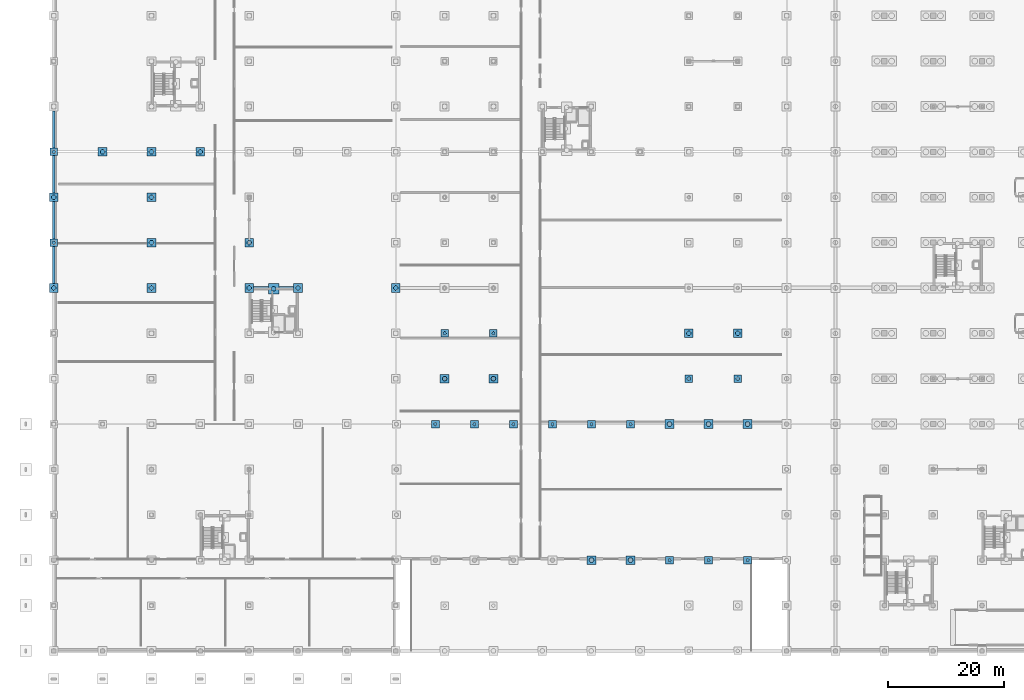
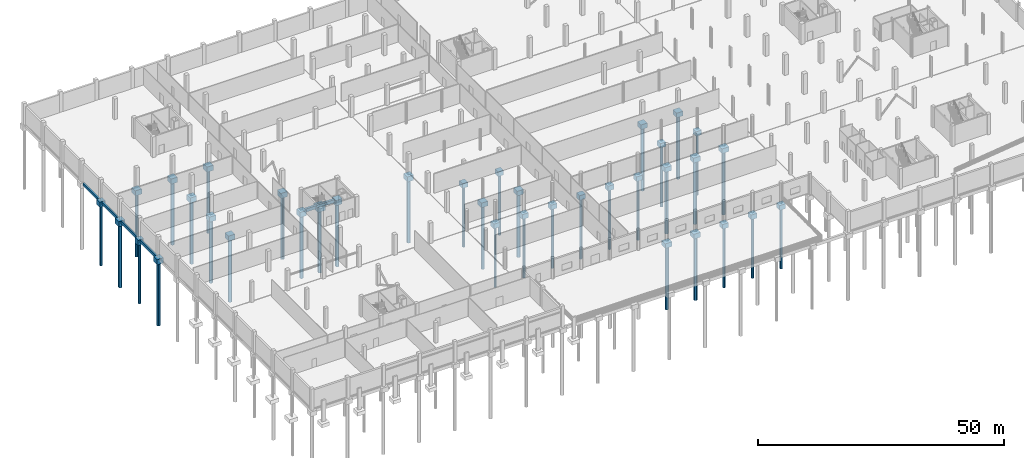
# One storey, part 3 of 48: 42 footings, 37 piles.
"""IFC4 building model written with IfcOpenShell, lengths in metres."""

import ifcopenshell
import ifcopenshell.guid

model = None  # the IFC model being written
_history = None  # IfcOwnerHistory: only IFC2X3 demands one
_inside = {}  # id of a spatial element -> (the spatial element, [elements in it])
_under = {}  # id of a project, library or spatial element -> (it, [spatial elements below it])
_declared = {}  # id of a project -> (the project, [libraries it declares])
_typed = {}  # id of a type object -> (the type object, [elements of that type])
_made_of = {}  # id of a material, layer set ... -> (it, [elements and type objects made of it])


def new_model(schema):
    """Start an empty IFC model of exactly this schema.

    Asked for "IFC4X3", IfcOpenShell would pick the latest addendum, in which some entities
    have other attributes; the version numbers below select the first issue.
    IFC2X3 requires an IfcOwnerHistory on every rooted entity: one is made here for all.
    """
    global model, _history
    if schema == "IFC4X3":
        model = ifcopenshell.file(schema_version=(4, 3, 0, 0))
    else:
        model = ifcopenshell.file(schema=schema)
    _inside.clear()
    _under.clear()
    _declared.clear()
    _typed.clear()
    _made_of.clear()
    _history = None
    if model.schema == "IFC2X3":
        org = make("IfcOrganization", Name="unknown")
        user = make(
            "IfcPersonAndOrganization",
            ThePerson=make("IfcPerson", FamilyName="unknown"),
            TheOrganization=org,
        )
        app = make(
            "IfcApplication",
            ApplicationDeveloper=org,
            Version="unknown",
            ApplicationFullName="unknown",
            ApplicationIdentifier="unknown",
        )
        _history = make(
            "IfcOwnerHistory",
            OwningUser=user,
            OwningApplication=app,
            ChangeAction="ADDED",
            CreationDate=0,
        )
    return model


def make(cls, **values):
    """One entity of the class cls with the attributes given. An attribute that is None is left unset."""
    return model.create_entity(
        cls, **{name: value for name, value in values.items() if value is not None}
    )


def rooted(cls, **values):
    """An entity with a GlobalId (a new one), such as an element, a storey or a relation."""
    return make(cls, GlobalId=ifcopenshell.guid.new(), OwnerHistory=_history, **values)


def si_unit(unit_type, name, prefix=None):
    """IfcSIUnit, for example si_unit("LENGTHUNIT", "METRE", prefix="MILLI")."""
    return make("IfcSIUnit", UnitType=unit_type, Prefix=prefix, Name=name)


def assignment(units):
    """IfcUnitAssignment: the units of a project."""
    return None if units is None else make("IfcUnitAssignment", Units=units)


def point(xyz):
    """IfcCartesianPoint."""
    return None if xyz is None else make("IfcCartesianPoint", Coordinates=xyz)


def direction(xyz):
    """IfcDirection."""
    return None if xyz is None else make("IfcDirection", DirectionRatios=xyz)


def frame(location, z_axis=None, x_axis=None):
    """IfcAxis2Placement3D, a coordinate frame: its origin and axes. An axis left out is left unset."""
    return make(
        "IfcAxis2Placement3D",
        Location=point(location),
        Axis=direction(z_axis),
        RefDirection=direction(x_axis),
    )


def frame_2d(location, x_axis=None):
    """IfcAxis2Placement2D, a coordinate frame in the plane: its origin and x axis."""
    return make(
        "IfcAxis2Placement2D", Location=point(location), RefDirection=direction(x_axis)
    )


def origin():
    """The frame at (0, 0, 0) with its axes left unset."""
    return frame((0.0, 0.0, 0.0))


def origin_2d():
    """The frame at (0, 0) in the plane with its x axis left unset."""
    return frame_2d((0.0, 0.0))


def place(relative_to, where):
    """IfcLocalPlacement: puts the frame where relative to a parent placement (None: the world)."""
    return make(
        "IfcLocalPlacement", PlacementRelTo=relative_to, RelativePlacement=where
    )


def context(
    kind, dimensions, precision=None, world=None, true_north=None, identifier=None
):
    """IfcGeometricRepresentationContext, for example the 3D "Model" context."""
    return make(
        "IfcGeometricRepresentationContext",
        ContextIdentifier=identifier,
        ContextType=kind,
        CoordinateSpaceDimension=dimensions,
        Precision=precision,
        WorldCoordinateSystem=world,
        TrueNorth=true_north,
    )


def subcontext(parent, identifier, kind, view, scale=None):
    """IfcGeometricRepresentationSubContext, for example "Body" below "Model"."""
    return make(
        "IfcGeometricRepresentationSubContext",
        ContextIdentifier=identifier,
        ContextType=kind,
        ParentContext=parent,
        TargetScale=scale,
        TargetView=view,
    )


def project(units=None, contexts=None):
    """IfcProject with its units and contexts."""
    return rooted(
        "IfcProject",
        Name="project",
        RepresentationContexts=contexts,
        UnitsInContext=assignment(units),
    )


def spatial(cls, under=None, at=None, **own):
    """A site, building, storey or space (cls), placed at a placement, below another one or the project."""
    s = rooted(cls, ObjectPlacement=at, **own)
    if under is not None:
        _under.setdefault(under.id(), (under, []))[1].append(s)
    return s


def polyline(points):
    """IfcPolyline through the points."""
    return make("IfcPolyline", Points=[point(p) for p in points])


def profile(cls, at=None, kind="AREA", **sizes):
    """A parametric profile (cls). Its sizes go by their IFC names, for example OverallWidth=200.0."""
    return make(cls, ProfileType=kind, Position=at, **sizes)


def rectangle(**sizes):
    """IfcRectangleProfileDef."""
    return profile("IfcRectangleProfileDef", **sizes)


def circle(**sizes):
    """IfcCircleProfileDef."""
    return profile("IfcCircleProfileDef", **sizes)


def outline(outer, holes=None, kind="AREA"):
    """IfcArbitraryClosedProfileDef: a profile drawn as a closed curve; with holes, ...WithVoids."""
    if holes is None:
        return make("IfcArbitraryClosedProfileDef", ProfileType=kind, OuterCurve=outer)
    return make(
        "IfcArbitraryProfileDefWithVoids",
        ProfileType=kind,
        OuterCurve=outer,
        InnerCurves=holes,
    )


def extrude(swept, where, along, depth):
    """IfcExtrudedAreaSolid: the profile swept, set in the frame where, extruded along a direction by depth."""
    return make(
        "IfcExtrudedAreaSolid",
        SweptArea=swept,
        Position=where,
        ExtrudedDirection=direction(along),
        Depth=depth,
    )


def shape(context_of_items, identifier, shape_type, items):
    """IfcShapeRepresentation: the items that make up one representation, for example the "Body"."""
    return make(
        "IfcShapeRepresentation",
        ContextOfItems=context_of_items,
        RepresentationIdentifier=identifier,
        RepresentationType=shape_type,
        Items=items,
    )


def material(Name=None, Category=None):
    """IfcMaterial."""
    return make("IfcMaterial", Name=Name, Category=Category)


def material_profile(
    of_material, cross_section, Name=None, Category=None, Priority=None
):
    """IfcMaterialProfile: a cross section and its material."""
    return make(
        "IfcMaterialProfile",
        Name=Name,
        Material=of_material,
        Profile=cross_section,
        Priority=Priority,
        Category=Category,
    )


def profile_set(profiles, Name=None, composite=None):
    """IfcMaterialProfileSet."""
    return make(
        "IfcMaterialProfileSet",
        Name=Name,
        MaterialProfiles=profiles,
        CompositeProfile=composite,
    )


def made_of(thing, what):
    """Note that an element or type object is made of a material, layer set ...; save() writes the relation."""
    if what is not None:
        _made_of.setdefault(what.id(), (what, []))[1].append(thing)
    return thing


def type_object(cls, material=None, **own):
    """A type object (cls), such as IfcWallType, which elements share."""
    return made_of(rooted(cls, **own), material)


def element(
    cls,
    number,
    at=None,
    inside=None,
    cuts=None,
    type_object=None,
    material=None,
    context=None,
    identifier="Body",
    shape_type=None,
    held_by="IfcProductDefinitionShape",
    body=None,
    shapes=None,
    **own,
):
    """One element of the class cls, such as IfcWall. Its Tag is "e" and its number.

    at: its placement. inside: the storey or other place that contains it. cuts: it is an
    opening in that element (IfcRelVoidsElement). A single representation is given by context,
    identifier, shape_type and body (its items); several are given by shapes. held_by: the class
    of the entity that holds the representations. save() writes the other relations.
    """
    e = rooted(cls, Tag="e%d" % number, ObjectPlacement=at, **own)
    if body is not None:
        shapes = [shape(context, identifier, shape_type, body)]
    if shapes is not None:
        e.Representation = make(held_by, Representations=shapes)
    if inside is not None:
        _inside.setdefault(inside.id(), (inside, []))[1].append(e)
    if cuts is not None:
        rooted(
            "IfcRelVoidsElement", RelatingBuildingElement=cuts, RelatedOpeningElement=e
        )
    if type_object is not None:
        _typed.setdefault(type_object.id(), (type_object, []))[1].append(e)
    return made_of(e, material)


def aggregate(whole, parts):
    """IfcRelAggregates: a whole, such as a stair, and the parts it consists of."""
    return rooted("IfcRelAggregates", RelatingObject=whole, RelatedObjects=parts)


def save(model, path):
    """Write the relations noted so far, then the file.

    IfcRelAggregates (storeys below a building ...), IfcRelContainedInSpatialStructure (elements
    in a storey), IfcRelDefinesByType, IfcRelAssociatesMaterial and IfcRelDeclares: one each for
    every whole, place, type object, material and project.
    """
    for whole, parts in _under.values():
        aggregate(whole, parts)
    for where, things in _inside.values():
        rooted(
            "IfcRelContainedInSpatialStructure",
            RelatedElements=things,
            RelatingStructure=where,
        )
    for kind, things in _typed.values():
        rooted("IfcRelDefinesByType", RelatedObjects=things, RelatingType=kind)
    for what, things in _made_of.values():
        rooted("IfcRelAssociatesMaterial", RelatedObjects=things, RelatingMaterial=what)
    for by, libraries in _declared.values():
        rooted("IfcRelDeclares", RelatingContext=by, RelatedDefinitions=libraries)
    model.write(path)


model = new_model("IFC4")

# Units and contexts
model_context = context("Model", 3, precision=1e-05, world=origin(), true_north=direction((0.0, 1.0)))
body_context = subcontext(model_context, "Body", "Model", "MODEL_VIEW")
ifc_project = project(units=[si_unit("LENGTHUNIT", "METRE"), si_unit("AREAUNIT", "SQUARE_METRE"), si_unit("VOLUMEUNIT", "CUBIC_METRE"), si_unit("PLANEANGLEUNIT", "RADIAN"), si_unit("MASSUNIT", "GRAM", prefix="KILO")], contexts=[model_context])

# Site, building, storey
site_placement = place(None, origin())
site = spatial("IfcSite", under=ifc_project, at=site_placement, CompositionType="ELEMENT")
building_placement = place(site_placement, origin())
building = spatial("IfcBuilding", under=site, at=building_placement, Name="Nabrawat Pavilion Hospital", CompositionType="ELEMENT")
storey_placement = place(building_placement, frame((0.0, 0.0, -5.10009765625)))
storey = spatial("IfcBuildingStorey", under=building, at=storey_placement, Name="B1", CompositionType="ELEMENT", Elevation=-5.10009765625)

# Piles
ifc_material = material(Name="Concrete C35/45", Category="concrete")
ifc_material_profile_1 = material_profile(ifc_material, circle(Radius=0.300048828125, at=origin_2d()), Name="DIA 600")
ifc_profile_set_1 = profile_set([ifc_material_profile_1], Name="Concrete C35/45")
pile_type_1 = type_object("IfcPileType", Name="Bored Concrete Pile D600", PredefinedType="BORED", material=ifc_profile_set_1)
for number, where, z_axis, x_axis, name in (
    (1, (0.0, 70.199951171875, -1.39990234375), (0.0, 0.0, -1.0), (1.0, 0.0, 0.0), "Bored Pile P-600 0010"),
    (2, (0.0, 85.800048828125, -1.39990234375), (0.0, 0.0, -1.0), (1.0, 0.0, 0.0), "Bored Pile P-600 0012"),
):
    element("IfcPile", number, at=place(storey_placement, frame(where, z_axis=z_axis, x_axis=x_axis)), inside=storey, type_object=pile_type_1, Name=name, PredefinedType="BORED", context=body_context, shape_type="SweptSolid", body=[
        extrude(circle(Radius=0.300048828125, at=origin_2d()), origin(), (0.0, 0.0, 1.0), 15.0),
    ])
pile_1_placement = place(storey_placement, frame((65.6279296875, 39.0, -1.2998046875), z_axis=(0.0, 0.0, -1.0), x_axis=(1.0, 0.0, 0.0)))
element("IfcPile", 3, at=pile_1_placement, inside=storey, type_object=pile_type_1, Name="Bored Pile P-600 0088", PredefinedType="BORED", context=body_context, shape_type="SweptSolid", body=[
    extrude(circle(Radius=0.300048828125, at=origin_2d()), origin(), (0.0, 0.0, 1.0), 15.10009765625),
])
pile_2_placement = place(storey_placement, frame((67.199951171875, 54.60009765625, -1.27001953125), z_axis=(0.0, 0.0, -1.0), x_axis=(1.0, 0.0, 0.0)))
element("IfcPile", 4, at=pile_2_placement, inside=storey, type_object=pile_type_1, Name="Bored Pile P-600 0092", PredefinedType="BORED", context=body_context, shape_type="SweptSolid", body=[
    extrude(circle(Radius=0.300048828125, at=origin_2d()), origin(), (0.0, 0.0, 1.0), 15.1298828125),
])
pile_3_placement = place(storey_placement, frame((72.3359375, 39.0, -1.2998046875), z_axis=(0.0, 0.0, -1.0), x_axis=(1.0, 0.0, 0.0)))
element("IfcPile", 5, at=pile_3_placement, inside=storey, type_object=pile_type_1, Name="Bored Pile P-600 0102", PredefinedType="BORED", context=body_context, shape_type="SweptSolid", body=[
    extrude(circle(Radius=0.300048828125, at=origin_2d()), origin(), (0.0, 0.0, 1.0), 15.10009765625),
])
pile_4_placement = place(storey_placement, frame((75.60009765625, 54.60009765625, -1.27001953125), z_axis=(0.0, 0.0, -1.0), x_axis=(1.0, 0.0, 0.0)))
element("IfcPile", 6, at=pile_4_placement, inside=storey, type_object=pile_type_1, Name="Bored Pile P-600 0106", PredefinedType="BORED", context=body_context, shape_type="SweptSolid", body=[
    extrude(circle(Radius=0.300048828125, at=origin_2d()), origin(), (0.0, 0.0, 1.0), 15.1298828125),
])
for number, where, z_axis, x_axis, name in (
    (7, (79.0439453125, 39.0, -1.2998046875), (0.0, 0.0, -1.0), (1.0, 0.0, 0.0), "Bored Pile P-600 0116"),
    (8, (85.751953125, 39.0, -1.2998046875), (0.0, 0.0, -1.0), (1.0, 0.0, 0.0), "Bored Pile P-600 0122"),
    (9, (92.4599609375, 39.0, -1.2998046875), (0.0, 0.0, -1.0), (1.0, 0.0, 0.0), "Bored Pile P-600 0128"),
    (10, (99.16796875, 39.0, -1.2998046875), (0.0, 0.0, -1.0), (1.0, 0.0, 0.0), "Bored Pile P-600 0130"),
    (11, (105.8759765625, 15.60009765625, -1.2998046875), (0.0, 0.0, -1.0), (1.0, 0.0, 0.0), "Bored Pile P-600 0134"),
):
    element("IfcPile", number, at=place(storey_placement, frame(where, z_axis=z_axis, x_axis=x_axis)), inside=storey, type_object=pile_type_1, Name=name, PredefinedType="BORED", context=body_context, shape_type="SweptSolid", body=[
        extrude(circle(Radius=0.300048828125, at=origin_2d()), origin(), (0.0, 0.0, 1.0), 15.10009765625),
    ])
pile_5_placement = place(storey_placement, frame((109.199951171875, 46.800048828125, -1.27001953125), z_axis=(0.0, 0.0, -1.0), x_axis=(1.0, 0.0, 0.0)))
element("IfcPile", 12, at=pile_5_placement, inside=storey, type_object=pile_type_1, Name="Bored Pile P-600 0138", PredefinedType="BORED", context=body_context, shape_type="SweptSolid", body=[
    extrude(circle(Radius=0.300048828125, at=origin_2d()), origin(), (0.0, 0.0, 1.0), 15.1298828125),
])
pile_6_placement = place(storey_placement, frame((112.583984375, 15.60009765625, -1.2998046875), z_axis=(0.0, 0.0, -1.0), x_axis=(1.0, 0.0, 0.0)))
element("IfcPile", 13, at=pile_6_placement, inside=storey, type_object=pile_type_1, Name="Bored Pile P-600 0148", PredefinedType="BORED", context=body_context, shape_type="SweptSolid", body=[
    extrude(circle(Radius=0.300048828125, at=origin_2d()), origin(), (0.0, 0.0, 1.0), 15.10009765625),
])
pile_7_placement = place(storey_placement, frame((117.60009765625, 46.800048828125, -1.27001953125), z_axis=(0.0, 0.0, -1.0), x_axis=(1.0, 0.0, 0.0)))
element("IfcPile", 14, at=pile_7_placement, inside=storey, type_object=pile_type_1, Name="Bored Pile P-600 0152", PredefinedType="BORED", context=body_context, shape_type="SweptSolid", body=[
    extrude(circle(Radius=0.300048828125, at=origin_2d()), origin(), (0.0, 0.0, 1.0), 15.1298828125),
])
pile_8_placement = place(storey_placement, frame((119.2919921875, 15.60009765625, -1.2998046875), z_axis=(0.0, 0.0, -1.0), x_axis=(1.0, 0.0, 0.0)))
element("IfcPile", 15, at=pile_8_placement, inside=storey, type_object=pile_type_1, Name="Bored Pile P-600 0162", PredefinedType="BORED", context=body_context, shape_type="SweptSolid", body=[
    extrude(circle(Radius=0.300048828125, at=origin_2d()), origin(), (0.0, 0.0, 1.0), 15.10009765625),
])
ifc_material_profile_2 = material_profile(ifc_material, circle(Radius=0.39990234375, at=origin_2d()), Name="DIA 800")
ifc_profile_set_2 = profile_set([ifc_material_profile_2], Name="Concrete C35/45")
pile_type_2 = type_object("IfcPileType", Name="Bored Concrete Pile D800", PredefinedType="BORED", material=ifc_profile_set_2)
for number, where, z_axis, x_axis, name in (
    (16, (0.0, 62.39990234375, -1.39990234375), (0.0, 0.0, -1.0), (1.0, 0.0, 0.0), "Bored Pile P-800 0009"),
    (17, (0.0, 78.0, -1.39990234375), (0.0, 0.0, -1.0), (1.0, 0.0, 0.0), "Bored Pile P-800 0011"),
    (18, (8.39990234375, 85.800048828125, -1.39990234375), (0.0, 0.0, -1.0), (1.0, 0.0, 0.0), "Bored Pile P-800 0019"),
    (19, (16.800048828125, 62.39990234375, -1.39990234375), (0.0, 0.0, -1.0), (1.0, 0.0, 0.0), "Bored Pile P-800 0029"),
    (20, (16.800048828125, 70.199951171875, -1.39990234375), (0.0, 0.0, -1.0), (1.0, 0.0, 0.0), "Bored Pile P-800 0030"),
    (21, (16.800048828125, 78.0, -1.39990234375), (0.0, 0.0, -1.0), (1.0, 0.0, 0.0), "Bored Pile P-800 0031"),
    (22, (16.800048828125, 85.800048828125, -1.39990234375), (0.0, 0.0, -1.0), (1.0, 0.0, 0.0), "Bored Pile P-800 0032"),
    (23, (25.199951171875, 85.800048828125, -1.39990234375), (0.0, 0.0, -1.0), (1.0, 0.0, 0.0), "Bored Pile P-800 0041"),
    (24, (33.60009765625, 62.39990234375, -1.39990234375), (0.0, 0.0, -1.0), (1.0, 0.0, 0.0), "Bored Pile P-800 0053"),
    (25, (33.60009765625, 70.199951171875, -1.39990234375), (0.0, 0.0, -1.0), (1.0, 0.0, 0.0), "Bored Pile P-800 0054"),
    (26, (42.0, 62.39990234375, -1.39990234375), (0.0, 0.0, -1.0), (1.0, 0.0, 0.0), "Bored Pile P-800 0064"),
    (27, (58.800048828125, 62.39990234375, -1.39990234375), (0.0, 0.0, -1.0), (1.0, 0.0, 0.0), "Bored Pile P-800 0075"),
):
    element("IfcPile", number, at=place(storey_placement, frame(where, z_axis=z_axis, x_axis=x_axis)), inside=storey, type_object=pile_type_2, Name=name, PredefinedType="BORED", context=body_context, shape_type="SweptSolid", body=[
        extrude(circle(Radius=0.39990234375, at=origin_2d()), origin(), (0.0, 0.0, 1.0), 15.699951171875),
    ])
for number, where, z_axis, x_axis, name in (
    (28, (67.199951171875, 46.800048828125, -1.27001953125), (0.0, 0.0, -1.0), (1.0, 0.0, 0.0), "Bored Pile P-800 0091"),
    (29, (75.60009765625, 46.800048828125, -1.27001953125), (0.0, 0.0, -1.0), (1.0, 0.0, 0.0), "Bored Pile P-800 0105"),
):
    element("IfcPile", number, at=place(storey_placement, frame(where, z_axis=z_axis, x_axis=x_axis)), inside=storey, type_object=pile_type_2, Name=name, PredefinedType="BORED", context=body_context, shape_type="SweptSolid", body=[
        extrude(circle(Radius=0.39990234375, at=origin_2d()), origin(), (0.0, 0.0, 1.0), 15.830078125),
    ])
for number, where, z_axis, x_axis, name in (
    (30, (92.4599609375, 15.60009765625, -1.2998046875), (0.0, 0.0, -1.0), (1.0, 0.0, 0.0), "Bored Pile P-800 0127"),
    (31, (99.16796875, 15.60009765625, -1.2998046875), (0.0, 0.0, -1.0), (1.0, 0.0, 0.0), "Bored Pile P-800 0129"),
    (32, (105.8759765625, 39.0, -1.2998046875), (0.0, 0.0, -1.0), (1.0, 0.0, 0.0), "Bored Pile P-800 0135"),
):
    element("IfcPile", number, at=place(storey_placement, frame(where, z_axis=z_axis, x_axis=x_axis)), inside=storey, type_object=pile_type_2, Name=name, PredefinedType="BORED", context=body_context, shape_type="SweptSolid", body=[
        extrude(circle(Radius=0.39990234375, at=origin_2d()), origin(), (0.0, 0.0, 1.0), 15.800048828125),
    ])
pile_9_placement = place(storey_placement, frame((109.199951171875, 54.60009765625, -1.27001953125), z_axis=(0.0, 0.0, -1.0), x_axis=(1.0, 0.0, 0.0)))
element("IfcPile", 33, at=pile_9_placement, inside=storey, type_object=pile_type_2, Name="Bored Pile P-800 0139", PredefinedType="BORED", context=body_context, shape_type="SweptSolid", body=[
    extrude(circle(Radius=0.39990234375, at=origin_2d()), origin(), (0.0, 0.0, 1.0), 15.830078125),
])
pile_10_placement = place(storey_placement, frame((112.583984375, 39.0, -1.2998046875), z_axis=(0.0, 0.0, -1.0), x_axis=(1.0, 0.0, 0.0)))
element("IfcPile", 34, at=pile_10_placement, inside=storey, type_object=pile_type_2, Name="Bored Pile P-800 0149", PredefinedType="BORED", context=body_context, shape_type="SweptSolid", body=[
    extrude(circle(Radius=0.39990234375, at=origin_2d()), origin(), (0.0, 0.0, 1.0), 15.800048828125),
])
pile_11_placement = place(storey_placement, frame((117.60009765625, 54.60009765625, -1.27001953125), z_axis=(0.0, 0.0, -1.0), x_axis=(1.0, 0.0, 0.0)))
element("IfcPile", 35, at=pile_11_placement, inside=storey, type_object=pile_type_2, Name="Bored Pile P-800 0153", PredefinedType="BORED", context=body_context, shape_type="SweptSolid", body=[
    extrude(circle(Radius=0.39990234375, at=origin_2d()), origin(), (0.0, 0.0, 1.0), 15.830078125),
])
pile_12_placement = place(storey_placement, frame((119.2919921875, 39.0, -1.2998046875), z_axis=(0.0, 0.0, -1.0), x_axis=(1.0, 0.0, 0.0)))
element("IfcPile", 36, at=pile_12_placement, inside=storey, type_object=pile_type_2, Name="Bored Pile P-800 0163", PredefinedType="BORED", context=body_context, shape_type="SweptSolid", body=[
    extrude(circle(Radius=0.39990234375, at=origin_2d()), origin(), (0.0, 0.0, 1.0), 15.800048828125),
])
pile_13_placement = place(storey_placement, frame((37.800048828125, 62.25, -1.369873046875), z_axis=(0.0, 0.0, -1.0), x_axis=(1.0, 0.0, 0.0)))
element("IfcPile", 37, at=pile_13_placement, inside=storey, type_object=pile_type_2, Name="Bored Pile P-800 0379", PredefinedType="BORED", context=body_context, shape_type="SweptSolid", body=[
    extrude(circle(Radius=0.39990234375, at=origin_2d()), origin(), (0.0, 0.0, 1.0), 15.72998046875),
])

# Footings
ifc_material_profile_3 = material_profile(ifc_material, rectangle(XDim=0.39990234375, YDim=0.699951171875, at=origin_2d()), Name="RC 400x700")
ifc_profile_set_3 = profile_set([ifc_material_profile_3], Name="Concrete C35/45")
footing_type_1 = type_object("IfcFootingType", Name="Concrete Ground Tie Beam 400x700", PredefinedType="FOOTING_BEAM", material=ifc_profile_set_3)
footing_1_placement = place(storey_placement, frame((0.0, 63.1298828125, -0.56982421875), z_axis=(0.0, 1.0, 0.0), x_axis=(-1.0, 0.0, 0.0)))
element("IfcFooting", 38, at=footing_1_placement, inside=storey, type_object=footing_type_1, Name="B1 Ground Tie Beam Y 051", PredefinedType="FOOTING_BEAM", context=body_context, shape_type="SweptSolid", body=[
    extrude(rectangle(XDim=0.39990234375, YDim=0.699951171875, at=origin_2d()), origin(), (0.0, 0.0, 1.0), 6.440185546875),
])
for number, where, z_axis, x_axis, name in (
    (39, (0.0, 70.830078125, -0.56982421875), (0.0, 1.0, 0.0), (-1.0, 0.0, 0.0), "B1 Ground Tie Beam Y 052"),
    (40, (0.0, 78.72998046875, -0.56982421875), (0.0, 1.0, 0.0), (-1.0, 0.0, 0.0), "B1 Ground Tie Beam Y 053"),
):
    element("IfcFooting", number, at=place(storey_placement, frame(where, z_axis=z_axis, x_axis=x_axis)), inside=storey, type_object=footing_type_1, Name=name, PredefinedType="FOOTING_BEAM", context=body_context, shape_type="SweptSolid", body=[
        extrude(rectangle(XDim=0.39990234375, YDim=0.699951171875, at=origin_2d()), origin(), (0.0, 0.0, 1.0), 6.43994140625),
    ])
footing_2_placement = place(storey_placement, frame((0.0, 86.429931640625, -0.56982421875), z_axis=(0.0, 1.0, 0.0), x_axis=(-1.0, 0.0, 0.0)))
element("IfcFooting", 41, at=footing_2_placement, inside=storey, type_object=footing_type_1, Name="B1 Ground Tie Beam Y 054", PredefinedType="FOOTING_BEAM", context=body_context, shape_type="SweptSolid", body=[
    extrude(rectangle(XDim=0.39990234375, YDim=0.699951171875, at=origin_2d()), origin(), (0.0, 0.0, 1.0), 6.440185546875),
])
ifc_material_profile_4 = material_profile(ifc_material, rectangle(XDim=0.5, YDim=0.800048828125, at=origin_2d()), Name="RC 500x800")
ifc_profile_set_4 = profile_set([ifc_material_profile_4], Name="Concrete C35/45")
footing_type_2 = type_object("IfcFootingType", Name="Concrete Ground Tie Beam 500x800", PredefinedType="FOOTING_BEAM", material=ifc_profile_set_4)
footing_3_placement = place(storey_placement, frame((34.330078125, 62.39990234375, -0.619873046875), z_axis=(1.0, 0.0, 0.0), x_axis=(0.0, 1.0, 0.0)))
element("IfcFooting", 42, at=footing_3_placement, inside=storey, type_object=footing_type_2, Name="B1 Ground Tie Beam X 024", PredefinedType="FOOTING_BEAM", context=body_context, shape_type="SweptSolid", body=[
    extrude(rectangle(XDim=0.5, YDim=0.800048828125, at=origin_2d()), origin(), (0.0, 0.0, 1.0), 6.93994140625),
])
footing_type_3 = type_object("IfcFootingType", Name="Reinforced Concrete Pile Cap 1300x1300x1150", PredefinedType="PILE_CAP", material=ifc_material)
footing_4_placement = place(storey_placement, frame((0.0, 0.0, -1.369873046875)))
element("IfcFooting", 43, at=footing_4_placement, inside=storey, type_object=footing_type_3, Name="B1 Combined Pile Cap CAP-092", PredefinedType="PILE_CAP", context=body_context, shape_type="SweptSolid", body=[
    extrude(outline(polyline([(67.85009765625, 53.949951171875), (67.85009765625, 55.25), (66.550048828125, 55.25), (66.550048828125, 53.949951171875), (67.85009765625, 53.949951171875)])), origin(), (0.0, 0.0, 1.0), 1.14990234375),
])
footing_5_placement = place(storey_placement, frame((0.0, 0.0, -1.369873046875)))
element("IfcFooting", 44, at=footing_5_placement, inside=storey, type_object=footing_type_3, Name="B1 Combined Pile Cap CAP-106", PredefinedType="PILE_CAP", context=body_context, shape_type="SweptSolid", body=[
    extrude(outline(polyline([(76.25, 53.949951171875), (76.25, 55.25), (74.949951171875, 55.25), (74.949951171875, 53.949951171875), (76.25, 53.949951171875)])), origin(), (0.0, 0.0, 1.0), 1.14990234375),
])
footing_6_placement = place(storey_placement, frame((0.0, 0.0, -1.369873046875)))
element("IfcFooting", 45, at=footing_6_placement, inside=storey, type_object=footing_type_3, Name="B1 Combined Pile Cap CAP-138", PredefinedType="PILE_CAP", context=body_context, shape_type="SweptSolid", body=[
    extrude(outline(polyline([(109.85009765625, 46.14990234375), (109.85009765625, 47.449951171875), (108.550048828125, 47.449951171875), (108.550048828125, 46.14990234375), (109.85009765625, 46.14990234375)])), origin(), (0.0, 0.0, 1.0), 1.14990234375),
])
footing_7_placement = place(storey_placement, frame((0.0, 0.0, -1.369873046875)))
element("IfcFooting", 46, at=footing_7_placement, inside=storey, type_object=footing_type_3, Name="B1 Combined Pile Cap CAP-152", PredefinedType="PILE_CAP", context=body_context, shape_type="SweptSolid", body=[
    extrude(outline(polyline([(118.25, 46.14990234375), (118.25, 47.449951171875), (116.949951171875, 47.449951171875), (116.949951171875, 46.14990234375), (118.25, 46.14990234375)])), origin(), (0.0, 0.0, 1.0), 1.14990234375),
])
footing_type_4 = type_object("IfcFootingType", Name="Reinforced Concrete Pile Cap 1300x1300x1280", PredefinedType="PILE_CAP", material=ifc_material)
footing_8_placement = place(storey_placement, frame((0.0, 0.0, -1.5)))
element("IfcFooting", 47, at=footing_8_placement, inside=storey, type_object=footing_type_4, Name="B1 Combined Pile Cap CAP-010", PredefinedType="PILE_CAP", context=body_context, shape_type="SweptSolid", body=[
    extrude(outline(polyline([(0.64990234375, 69.550048828125), (0.64990234375, 70.85009765625), (-0.64990234375, 70.85009765625), (-0.64990234375, 69.550048828125), (0.64990234375, 69.550048828125)])), origin(), (0.0, 0.0, 1.0), 1.280029296875),
])
footing_9_placement = place(storey_placement, frame((0.0, 0.0, -1.5)))
element("IfcFooting", 48, at=footing_9_placement, inside=storey, type_object=footing_type_4, Name="B1 Combined Pile Cap CAP-012", PredefinedType="PILE_CAP", context=body_context, shape_type="SweptSolid", body=[
    extrude(outline(polyline([(0.64990234375, 85.14990234375), (0.64990234375, 86.449951171875), (-0.64990234375, 86.449951171875), (-0.64990234375, 85.14990234375), (0.64990234375, 85.14990234375)])), origin(), (0.0, 0.0, 1.0), 1.280029296875),
])
footing_type_5 = type_object("IfcFootingType", Name="Reinforced Concrete Pile Cap 1300x1400x1180", PredefinedType="PILE_CAP", material=ifc_material)
footing_10_placement = place(storey_placement, frame((0.0, 0.0, -1.39990234375)))
element("IfcFooting", 49, at=footing_10_placement, inside=storey, type_object=footing_type_5, Name="B1 Combined Pile Cap CAP-088", PredefinedType="PILE_CAP", context=body_context, shape_type="SweptSolid", body=[
    extrude(outline(polyline([(66.327880859375, 38.35009765625), (66.327880859375, 39.64990234375), (64.927978515625, 39.64990234375), (64.927978515625, 38.35009765625), (66.327880859375, 38.35009765625)])), origin(), (0.0, 0.0, 1.0), 1.179931640625),
])
footing_11_placement = place(storey_placement, frame((0.0, 0.0, -1.39990234375)))
element("IfcFooting", 50, at=footing_11_placement, inside=storey, type_object=footing_type_5, Name="B1 Combined Pile Cap CAP-102", PredefinedType="PILE_CAP", context=body_context, shape_type="SweptSolid", body=[
    extrude(outline(polyline([(73.035888671875, 38.35009765625), (73.035888671875, 39.64990234375), (71.635986328125, 39.64990234375), (71.635986328125, 38.35009765625), (73.035888671875, 38.35009765625)])), origin(), (0.0, 0.0, 1.0), 1.179931640625),
])
footing_12_placement = place(storey_placement, frame((0.0, 0.0, -1.39990234375)))
element("IfcFooting", 51, at=footing_12_placement, inside=storey, type_object=footing_type_5, Name="B1 Combined Pile Cap CAP-116", PredefinedType="PILE_CAP", context=body_context, shape_type="SweptSolid", body=[
    extrude(outline(polyline([(79.743896484375, 38.35009765625), (79.743896484375, 39.64990234375), (78.343994140625, 39.64990234375), (78.343994140625, 38.35009765625), (79.743896484375, 38.35009765625)])), origin(), (0.0, 0.0, 1.0), 1.179931640625),
])
footing_13_placement = place(storey_placement, frame((0.0, 0.0, -1.39990234375)))
element("IfcFooting", 52, at=footing_13_placement, inside=storey, type_object=footing_type_5, Name="B1 Combined Pile Cap CAP-122", PredefinedType="PILE_CAP", context=body_context, shape_type="SweptSolid", body=[
    extrude(outline(polyline([(86.451904296875, 38.35009765625), (86.451904296875, 39.64990234375), (85.052001953125, 39.64990234375), (85.052001953125, 38.35009765625), (86.451904296875, 38.35009765625)])), origin(), (0.0, 0.0, 1.0), 1.179931640625),
])
footing_14_placement = place(storey_placement, frame((0.0, 0.0, -1.39990234375)))
element("IfcFooting", 53, at=footing_14_placement, inside=storey, type_object=footing_type_5, Name="B1 Combined Pile Cap CAP-128", PredefinedType="PILE_CAP", context=body_context, shape_type="SweptSolid", body=[
    extrude(outline(polyline([(93.159912109375, 38.35009765625), (93.159912109375, 39.64990234375), (91.760009765625, 39.64990234375), (91.760009765625, 38.35009765625), (93.159912109375, 38.35009765625)])), origin(), (0.0, 0.0, 1.0), 1.179931640625),
])
footing_15_placement = place(storey_placement, frame((0.0, 0.0, -1.39990234375)))
element("IfcFooting", 54, at=footing_15_placement, inside=storey, type_object=footing_type_5, Name="B1 Combined Pile Cap CAP-130", PredefinedType="PILE_CAP", context=body_context, shape_type="SweptSolid", body=[
    extrude(outline(polyline([(99.867919921875, 38.35009765625), (99.867919921875, 39.64990234375), (98.468017578125, 39.64990234375), (98.468017578125, 38.35009765625), (99.867919921875, 38.35009765625)])), origin(), (0.0, 0.0, 1.0), 1.179931640625),
])
footing_16_placement = place(storey_placement, frame((0.0, 0.0, -1.39990234375)))
element("IfcFooting", 55, at=footing_16_placement, inside=storey, type_object=footing_type_5, Name="B1 Combined Pile Cap CAP-134", PredefinedType="PILE_CAP", context=body_context, shape_type="SweptSolid", body=[
    extrude(outline(polyline([(106.575927734375, 14.949951171875), (106.575927734375, 16.25), (105.176025390625, 16.25), (105.176025390625, 14.949951171875), (106.575927734375, 14.949951171875)])), origin(), (0.0, 0.0, 1.0), 1.179931640625),
])
footing_17_placement = place(storey_placement, frame((0.0, 0.0, -1.39990234375)))
element("IfcFooting", 56, at=footing_17_placement, inside=storey, type_object=footing_type_5, Name="B1 Combined Pile Cap CAP-148", PredefinedType="PILE_CAP", context=body_context, shape_type="SweptSolid", body=[
    extrude(outline(polyline([(113.283935546875, 14.949951171875), (113.283935546875, 16.25), (111.884033203125, 16.25), (111.884033203125, 14.949951171875), (113.283935546875, 14.949951171875)])), origin(), (0.0, 0.0, 1.0), 1.179931640625),
])
footing_18_placement = place(storey_placement, frame((0.0, 0.0, -1.39990234375)))
element("IfcFooting", 57, at=footing_18_placement, inside=storey, type_object=footing_type_5, Name="B1 Combined Pile Cap CAP-162", PredefinedType="PILE_CAP", context=body_context, shape_type="SweptSolid", body=[
    extrude(outline(polyline([(119.991943359375, 14.949951171875), (119.991943359375, 16.25), (118.592041015625, 16.25), (118.592041015625, 14.949951171875), (119.991943359375, 14.949951171875)])), origin(), (0.0, 0.0, 1.0), 1.179931640625),
])
footing_type_6 = type_object("IfcFootingType", Name="Reinforced Concrete Pile Cap 1500x1500x1150", PredefinedType="PILE_CAP", material=ifc_material)
footing_19_placement = place(storey_placement, frame((0.0, 0.0, -1.369873046875)))
element("IfcFooting", 58, at=footing_19_placement, inside=storey, type_object=footing_type_6, Name="B1 Combined Pile Cap CAP-091", PredefinedType="PILE_CAP", context=body_context, shape_type="SweptSolid", body=[
    extrude(outline(polyline([(67.949951171875, 46.050048828125), (67.949951171875, 47.550048828125), (66.449951171875, 47.550048828125), (66.449951171875, 46.050048828125), (67.949951171875, 46.050048828125)])), origin(), (0.0, 0.0, 1.0), 1.14990234375),
])
footing_20_placement = place(storey_placement, frame((0.0, 0.0, -1.369873046875)))
element("IfcFooting", 59, at=footing_20_placement, inside=storey, type_object=footing_type_6, Name="B1 Combined Pile Cap CAP-105", PredefinedType="PILE_CAP", context=body_context, shape_type="SweptSolid", body=[
    extrude(outline(polyline([(76.35009765625, 46.050048828125), (76.35009765625, 47.550048828125), (74.85009765625, 47.550048828125), (74.85009765625, 46.050048828125), (76.35009765625, 46.050048828125)])), origin(), (0.0, 0.0, 1.0), 1.14990234375),
])
footing_21_placement = place(storey_placement, frame((0.0, 0.0, -1.369873046875)))
element("IfcFooting", 60, at=footing_21_placement, inside=storey, type_object=footing_type_6, Name="B1 Combined Pile Cap CAP-139", PredefinedType="PILE_CAP", context=body_context, shape_type="SweptSolid", body=[
    extrude(outline(polyline([(109.949951171875, 53.85009765625), (109.949951171875, 55.35009765625), (108.449951171875, 55.35009765625), (108.449951171875, 53.85009765625), (109.949951171875, 53.85009765625)])), origin(), (0.0, 0.0, 1.0), 1.14990234375),
])
footing_22_placement = place(storey_placement, frame((0.0, 0.0, -1.369873046875)))
element("IfcFooting", 61, at=footing_22_placement, inside=storey, type_object=footing_type_6, Name="B1 Combined Pile Cap CAP-153", PredefinedType="PILE_CAP", context=body_context, shape_type="SweptSolid", body=[
    extrude(outline(polyline([(118.35009765625, 53.85009765625), (118.35009765625, 55.35009765625), (116.85009765625, 55.35009765625), (116.85009765625, 53.85009765625), (118.35009765625, 53.85009765625)])), origin(), (0.0, 0.0, 1.0), 1.14990234375),
])
footing_type_7 = type_object("IfcFootingType", Name="Reinforced Concrete Pile Cap 1500x1500x1280", PredefinedType="PILE_CAP", material=ifc_material)
footing_23_placement = place(storey_placement, frame((0.0, 0.0, -1.5)))
element("IfcFooting", 62, at=footing_23_placement, inside=storey, type_object=footing_type_7, Name="B1 Combined Pile Cap CAP-009", PredefinedType="PILE_CAP", context=body_context, shape_type="SweptSolid", body=[
    extrude(outline(polyline([(0.75, 61.64990234375), (0.75, 63.14990234375), (-0.75, 63.14990234375), (-0.75, 61.64990234375), (0.75, 61.64990234375)])), origin(), (0.0, 0.0, 1.0), 1.280029296875),
])
footing_24_placement = place(storey_placement, frame((0.0, 0.0, -1.5)))
element("IfcFooting", 63, at=footing_24_placement, inside=storey, type_object=footing_type_7, Name="B1 Combined Pile Cap CAP-011", PredefinedType="PILE_CAP", context=body_context, shape_type="SweptSolid", body=[
    extrude(outline(polyline([(0.75, 77.25), (0.75, 78.75), (-0.75, 78.75), (-0.75, 77.25), (0.75, 77.25)])), origin(), (0.0, 0.0, 1.0), 1.280029296875),
])
footing_25_placement = place(storey_placement, frame((0.0, 0.0, -1.5)))
element("IfcFooting", 64, at=footing_25_placement, inside=storey, type_object=footing_type_7, Name="B1 Combined Pile Cap CAP-019", PredefinedType="PILE_CAP", context=body_context, shape_type="SweptSolid", body=[
    extrude(outline(polyline([(9.14990234375, 85.050048828125), (9.14990234375, 86.550048828125), (7.64990234375, 86.550048828125), (7.64990234375, 85.050048828125), (9.14990234375, 85.050048828125)])), origin(), (0.0, 0.0, 1.0), 1.280029296875),
])
footing_26_placement = place(storey_placement, frame((0.0, 0.0, -1.5)))
element("IfcFooting", 65, at=footing_26_placement, inside=storey, type_object=footing_type_7, Name="B1 Combined Pile Cap CAP-029", PredefinedType="PILE_CAP", context=body_context, shape_type="SweptSolid", body=[
    extrude(outline(polyline([(17.550048828125, 61.64990234375), (17.550048828125, 63.14990234375), (16.050048828125, 63.14990234375), (16.050048828125, 61.64990234375), (17.550048828125, 61.64990234375)])), origin(), (0.0, 0.0, 1.0), 1.280029296875),
])
footing_27_placement = place(storey_placement, frame((0.0, 0.0, -1.5)))
element("IfcFooting", 66, at=footing_27_placement, inside=storey, type_object=footing_type_7, Name="B1 Combined Pile Cap CAP-030", PredefinedType="PILE_CAP", context=body_context, shape_type="SweptSolid", body=[
    extrude(outline(polyline([(17.550048828125, 69.449951171875), (17.550048828125, 70.949951171875), (16.050048828125, 70.949951171875), (16.050048828125, 69.449951171875), (17.550048828125, 69.449951171875)])), origin(), (0.0, 0.0, 1.0), 1.280029296875),
])
footing_28_placement = place(storey_placement, frame((0.0, 0.0, -1.5)))
element("IfcFooting", 67, at=footing_28_placement, inside=storey, type_object=footing_type_7, Name="B1 Combined Pile Cap CAP-031", PredefinedType="PILE_CAP", context=body_context, shape_type="SweptSolid", body=[
    extrude(outline(polyline([(17.550048828125, 77.25), (17.550048828125, 78.75), (16.050048828125, 78.75), (16.050048828125, 77.25), (17.550048828125, 77.25)])), origin(), (0.0, 0.0, 1.0), 1.280029296875),
])
footing_29_placement = place(storey_placement, frame((0.0, 0.0, -1.5)))
element("IfcFooting", 68, at=footing_29_placement, inside=storey, type_object=footing_type_7, Name="B1 Combined Pile Cap CAP-032", PredefinedType="PILE_CAP", context=body_context, shape_type="SweptSolid", body=[
    extrude(outline(polyline([(17.550048828125, 85.050048828125), (17.550048828125, 86.550048828125), (16.050048828125, 86.550048828125), (16.050048828125, 85.050048828125), (17.550048828125, 85.050048828125)])), origin(), (0.0, 0.0, 1.0), 1.280029296875),
])
footing_30_placement = place(storey_placement, frame((0.0, 0.0, -1.5)))
element("IfcFooting", 69, at=footing_30_placement, inside=storey, type_object=footing_type_7, Name="B1 Combined Pile Cap CAP-041", PredefinedType="PILE_CAP", context=body_context, shape_type="SweptSolid", body=[
    extrude(outline(polyline([(25.949951171875, 85.050048828125), (25.949951171875, 86.550048828125), (24.449951171875, 86.550048828125), (24.449951171875, 85.050048828125), (25.949951171875, 85.050048828125)])), origin(), (0.0, 0.0, 1.0), 1.280029296875),
])
footing_31_placement = place(storey_placement, frame((0.0, 0.0, -1.5)))
element("IfcFooting", 70, at=footing_31_placement, inside=storey, type_object=footing_type_7, Name="B1 Combined Pile Cap CAP-053", PredefinedType="PILE_CAP", context=body_context, shape_type="SweptSolid", body=[
    extrude(outline(polyline([(34.35009765625, 61.64990234375), (34.35009765625, 63.14990234375), (32.85009765625, 63.14990234375), (32.85009765625, 61.64990234375), (34.35009765625, 61.64990234375)])), origin(), (0.0, 0.0, 1.0), 1.280029296875),
])
footing_32_placement = place(storey_placement, frame((0.0, 0.0, -1.5)))
element("IfcFooting", 71, at=footing_32_placement, inside=storey, type_object=footing_type_7, Name="B1 Combined Pile Cap CAP-054", PredefinedType="PILE_CAP", context=body_context, shape_type="SweptSolid", body=[
    extrude(outline(polyline([(34.35009765625, 69.449951171875), (34.35009765625, 70.949951171875), (32.85009765625, 70.949951171875), (32.85009765625, 69.449951171875), (34.35009765625, 69.449951171875)])), origin(), (0.0, 0.0, 1.0), 1.280029296875),
])
footing_33_placement = place(storey_placement, frame((0.0, 0.0, -1.5)))
element("IfcFooting", 72, at=footing_33_placement, inside=storey, type_object=footing_type_7, Name="B1 Combined Pile Cap CAP-064", PredefinedType="PILE_CAP", context=body_context, shape_type="SweptSolid", body=[
    extrude(outline(polyline([(42.75, 61.64990234375), (42.75, 63.14990234375), (41.25, 63.14990234375), (41.25, 61.64990234375), (42.75, 61.64990234375)])), origin(), (0.0, 0.0, 1.0), 1.280029296875),
])
footing_34_placement = place(storey_placement, frame((0.0, 0.0, -1.5)))
element("IfcFooting", 73, at=footing_34_placement, inside=storey, type_object=footing_type_7, Name="B1 Combined Pile Cap CAP-075", PredefinedType="PILE_CAP", context=body_context, shape_type="SweptSolid", body=[
    extrude(outline(polyline([(59.550048828125, 61.64990234375), (59.550048828125, 63.14990234375), (58.050048828125, 63.14990234375), (58.050048828125, 61.64990234375), (59.550048828125, 61.64990234375)])), origin(), (0.0, 0.0, 1.0), 1.280029296875),
])
footing_type_8 = type_object("IfcFootingType", Name="Reinforced Concrete Pile Cap 1500x1600x1180", PredefinedType="PILE_CAP", material=ifc_material)
footing_35_placement = place(storey_placement, frame((0.0, 0.0, -1.39990234375)))
element("IfcFooting", 74, at=footing_35_placement, inside=storey, type_object=footing_type_8, Name="B1 Combined Pile Cap CAP-127", PredefinedType="PILE_CAP", context=body_context, shape_type="SweptSolid", body=[
    extrude(outline(polyline([(93.260009765625, 14.85009765625), (93.260009765625, 16.35009765625), (91.659912109375, 16.35009765625), (91.659912109375, 14.85009765625), (93.260009765625, 14.85009765625)])), origin(), (0.0, 0.0, 1.0), 1.179931640625),
])
footing_36_placement = place(storey_placement, frame((0.0, 0.0, -1.39990234375)))
element("IfcFooting", 75, at=footing_36_placement, inside=storey, type_object=footing_type_8, Name="B1 Combined Pile Cap CAP-129", PredefinedType="PILE_CAP", context=body_context, shape_type="SweptSolid", body=[
    extrude(outline(polyline([(99.968017578125, 14.85009765625), (99.968017578125, 16.35009765625), (98.367919921875, 16.35009765625), (98.367919921875, 14.85009765625), (99.968017578125, 14.85009765625)])), origin(), (0.0, 0.0, 1.0), 1.179931640625),
])
footing_37_placement = place(storey_placement, frame((0.0, 0.0, -1.39990234375)))
element("IfcFooting", 76, at=footing_37_placement, inside=storey, type_object=footing_type_8, Name="B1 Combined Pile Cap CAP-135", PredefinedType="PILE_CAP", context=body_context, shape_type="SweptSolid", body=[
    extrude(outline(polyline([(106.676025390625, 38.25), (106.676025390625, 39.75), (105.075927734375, 39.75), (105.075927734375, 38.25), (106.676025390625, 38.25)])), origin(), (0.0, 0.0, 1.0), 1.179931640625),
])
footing_38_placement = place(storey_placement, frame((0.0, 0.0, -1.39990234375)))
element("IfcFooting", 77, at=footing_38_placement, inside=storey, type_object=footing_type_8, Name="B1 Combined Pile Cap CAP-149", PredefinedType="PILE_CAP", context=body_context, shape_type="SweptSolid", body=[
    extrude(outline(polyline([(113.384033203125, 38.25), (113.384033203125, 39.75), (111.783935546875, 39.75), (111.783935546875, 38.25), (113.384033203125, 38.25)])), origin(), (0.0, 0.0, 1.0), 1.179931640625),
])
footing_39_placement = place(storey_placement, frame((0.0, 0.0, -1.39990234375)))
element("IfcFooting", 78, at=footing_39_placement, inside=storey, type_object=footing_type_8, Name="B1 Combined Pile Cap CAP-163", PredefinedType="PILE_CAP", context=body_context, shape_type="SweptSolid", body=[
    extrude(outline(polyline([(120.092041015625, 38.25), (120.092041015625, 39.75), (118.491943359375, 39.75), (118.491943359375, 38.25), (120.092041015625, 38.25)])), origin(), (0.0, 0.0, 1.0), 1.179931640625),
])
footing_type_9 = type_object("IfcFootingType", Name="Reinforced Concrete Pile Cap 1800x1800x1250", PredefinedType="PILE_CAP", material=ifc_material)
footing_40_placement = place(storey_placement, frame((0.0, 0.0, -1.469970703125)))
element("IfcFooting", 79, at=footing_40_placement, inside=storey, type_object=footing_type_9, Name="B1 Core Shear Wall Pile Cap CAP-CORE-05", PredefinedType="PILE_CAP", context=body_context, shape_type="SweptSolid", body=[
    extrude(outline(polyline([(38.699951171875, 61.35009765625), (38.699951171875, 63.14990234375), (36.89990234375, 63.14990234375), (36.89990234375, 61.35009765625), (38.699951171875, 61.35009765625)])), origin(), (0.0, 0.0, 1.0), 1.25),
])

save(model, "model.ifc")
